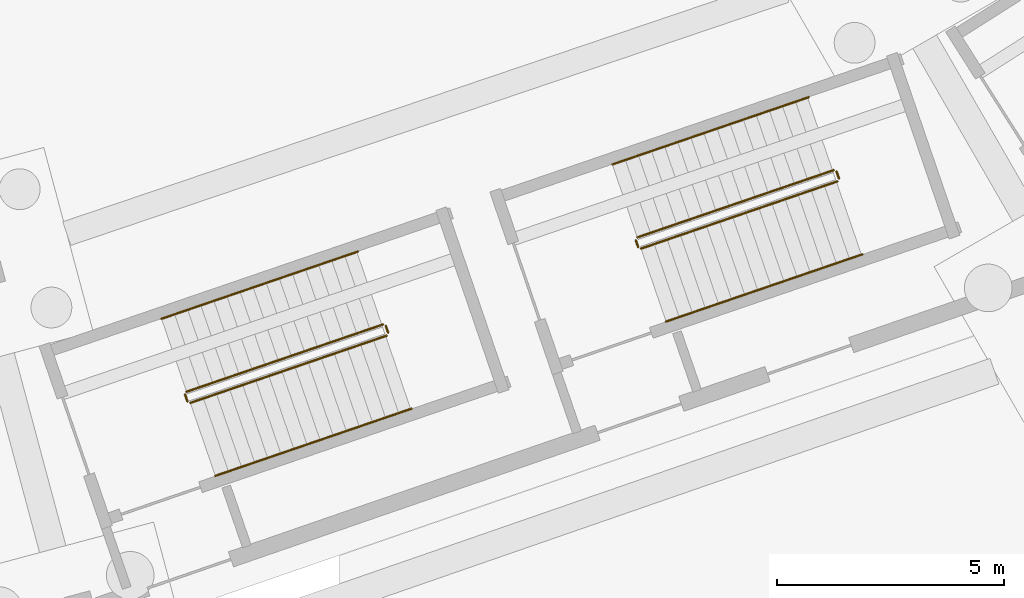
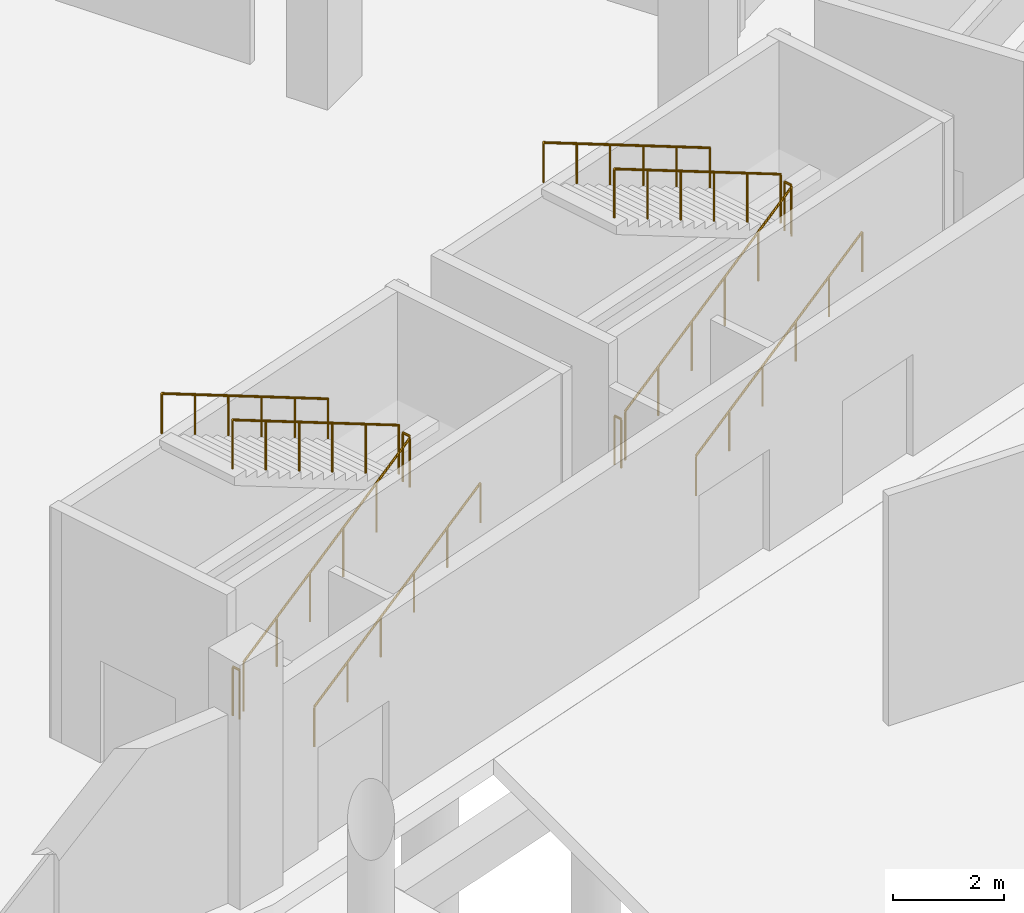
# One storey, part 71 of 103: 12 railings.
"""IFC4 building model written with IfcOpenShell, lengths in metres."""

from ifc_helpers import new_model, si_unit, direction, frame, origin, origin_2d, place, context, subcontext, project, spatial, circle, extrude, material, type_object, element, save


model = new_model("IFC4")

# Units and contexts
model_context = context("Model", 3, precision=1e-05, world=origin(), true_north=direction((0.0, 1.0)))
body_context = subcontext(model_context, "Body", "Model", "MODEL_VIEW")
ifc_project = project(units=[si_unit("LENGTHUNIT", "METRE"), si_unit("AREAUNIT", "SQUARE_METRE"), si_unit("VOLUMEUNIT", "CUBIC_METRE"), si_unit("PLANEANGLEUNIT", "RADIAN"), si_unit("MASSUNIT", "GRAM", prefix="KILO")], contexts=[model_context])

# Site, building, storey
site_placement = place(None, origin())
site = spatial("IfcSite", under=ifc_project, at=site_placement, CompositionType="ELEMENT")
building_placement = place(site_placement, origin())
building = spatial("IfcBuilding", under=site, at=building_placement, Name="Zevraka Park Crest Stadium", CompositionType="ELEMENT")
storey_placement = place(building_placement, origin())
storey = spatial("IfcBuildingStorey", under=building, at=storey_placement, Name="L00", CompositionType="ELEMENT", Elevation=0.0)

# Railings
ifc_material_1 = material(Name="Powder-coated tubular steel stairwell guard", Category="steel")
railing_type_1 = type_object("IfcRailingType", Name="GR03", PredefinedType="GUARDRAIL", material=ifc_material_1)
railing_1_placement = place(storey_placement, frame((138.01611328125, 23.9365234375, 0.168701171875)))
element("IfcRailing", 1, at=railing_1_placement, inside=storey, type_object=railing_type_1, Name="L00 ST20 stair guard 1", PredefinedType="GUARDRAIL", context=body_context, shape_type="SweptSolid", body=[
    extrude(circle(Radius=0.02392578125, at=origin_2d()), frame((0.0, 0.0, 1.076171875), z_axis=(0.827816573081, 0.283471962049, 0.484110904716), x_axis=(-0.323965495677, 0.946068896863, 0.0)), (0.0, 0.0, 1.0), 5.228759765625),
    extrude(circle(Radius=0.02099609375, at=origin_2d()), origin(), (0.0, 0.0, 1.0), 1.052001953125),
    extrude(circle(Radius=0.02099609375, at=origin_2d()), frame((0.86572265625, 0.29638671875, 0.50634765625)), (0.0, 0.0, 1.0), 1.052001953125),
    extrude(circle(Radius=0.02099609375, at=origin_2d()), frame((1.7314453125, 0.5927734375, 1.012451171875)), (0.0, 0.0, 1.0), 1.052001953125),
    extrude(circle(Radius=0.02099609375, at=origin_2d()), frame((2.596923828125, 0.889404296875, 1.518798828125)), (0.0, 0.0, 1.0), 1.052001953125),
    extrude(circle(Radius=0.02099609375, at=origin_2d()), frame((3.462646484375, 1.185791015625, 2.02490234375)), (0.0, 0.0, 1.0), 1.052001953125),
    extrude(circle(Radius=0.02099609375, at=origin_2d()), frame((4.328369140625, 1.482177734375, 2.53125)), (0.0, 0.0, 1.0), 1.052001953125),
])
railing_2_placement = place(storey_placement, frame((142.37548828125, 25.482177734375, 2.699951171875)))
element("IfcRailing", 2, at=railing_2_placement, inside=storey, type_object=railing_type_1, Name="L00 ST20 stair guard 2", PredefinedType="GUARDRAIL", context=body_context, shape_type="SweptSolid", body=[
    extrude(circle(Radius=0.02392578125, at=origin_2d()), frame((0.0, 0.0, 1.076171875), z_axis=(-0.32354385955, 0.946213174156, 0.0), x_axis=(-0.946213174156, -0.32354385955, 0.0)), (0.0, 0.0, 1.0), 0.159912109375),
    extrude(circle(Radius=0.02099609375, at=origin_2d()), origin(), (0.0, 0.0, 1.0), 1.052001953125),
    extrude(circle(Radius=0.02099609375, at=origin_2d()), frame((-0.0517578125, 0.1513671875, 0.0)), (0.0, 0.0, 1.0), 1.052001953125),
])
railing_3_placement = place(storey_placement, frame((142.26025390625, 25.664794921875, 2.86865234375)))
element("IfcRailing", 3, at=railing_3_placement, inside=storey, type_object=railing_type_1, Name="L00 ST20 stair guard 3", PredefinedType="GUARDRAIL", context=body_context, shape_type="SweptSolid", body=[
    extrude(circle(Radius=0.02392578125, at=origin_2d()), frame((0.0, 0.0, 1.076171875), z_axis=(-0.827816573081, -0.283471962049, 0.484110904716), x_axis=(0.323965495677, -0.946068896863, 0.0)), (0.0, 0.0, 1.0), 5.228759765625),
    extrude(circle(Radius=0.02099609375, at=origin_2d()), origin(), (0.0, 0.0, 1.0), 1.052001953125),
    extrude(circle(Radius=0.02099609375, at=origin_2d()), frame((-0.86572265625, -0.29638671875, 0.50634765625)), (0.0, 0.0, 1.0), 1.052001953125),
    extrude(circle(Radius=0.02099609375, at=origin_2d()), frame((-1.7314453125, -0.5927734375, 1.012451171875)), (0.0, 0.0, 1.0), 1.052001953125),
    extrude(circle(Radius=0.02099609375, at=origin_2d()), frame((-2.596923828125, -0.889404296875, 1.518798828125)), (0.0, 0.0, 1.0), 1.052001953125),
    extrude(circle(Radius=0.02099609375, at=origin_2d()), frame((-3.462646484375, -1.185791015625, 2.02490234375)), (0.0, 0.0, 1.0), 1.052001953125),
    extrude(circle(Radius=0.02099609375, at=origin_2d()), frame((-4.328369140625, -1.482177734375, 2.53125)), (0.0, 0.0, 1.0), 1.052001953125),
])
railing_4_placement = place(storey_placement, frame((137.95263671875, 23.9677734375, 0.0)))
element("IfcRailing", 4, at=railing_4_placement, inside=storey, type_object=railing_type_1, Name="L00 ST20 stair guard 4", PredefinedType="GUARDRAIL", context=body_context, shape_type="SweptSolid", body=[
    extrude(circle(Radius=0.02392578125, at=origin_2d()), frame((0.0, 0.0, 1.076171875), z_axis=(-0.32354385955, 0.946213174156, 0.0), x_axis=(-0.946213174156, -0.32354385955, 0.0)), (0.0, 0.0, 1.0), 0.159912109375),
    extrude(circle(Radius=0.02099609375, at=origin_2d()), origin(), (0.0, 0.0, 1.0), 1.052001953125),
    extrude(circle(Radius=0.02099609375, at=origin_2d()), frame((-0.0517578125, 0.1513671875, 0.0)), (0.0, 0.0, 1.0), 1.052001953125),
])
railing_5_placement = place(storey_placement, frame((147.9501953125, 27.337646484375, 0.168701171875)))
element("IfcRailing", 5, at=railing_5_placement, inside=storey, type_object=railing_type_1, Name="L00 ST31 stair guard 1", PredefinedType="GUARDRAIL", context=body_context, shape_type="SweptSolid", body=[
    extrude(circle(Radius=0.02392578125, at=origin_2d()), frame((0.0, 0.0, 1.076171875), z_axis=(0.827816573081, 0.283471962049, 0.484110904716), x_axis=(-0.323965495677, 0.946068896863, 0.0)), (0.0, 0.0, 1.0), 5.228759765625),
    extrude(circle(Radius=0.02099609375, at=origin_2d()), origin(), (0.0, 0.0, 1.0), 1.052001953125),
    extrude(circle(Radius=0.02099609375, at=origin_2d()), frame((0.86572265625, 0.29638671875, 0.50634765625)), (0.0, 0.0, 1.0), 1.052001953125),
    extrude(circle(Radius=0.02099609375, at=origin_2d()), frame((1.7314453125, 0.5927734375, 1.012451171875)), (0.0, 0.0, 1.0), 1.052001953125),
    extrude(circle(Radius=0.02099609375, at=origin_2d()), frame((2.596923828125, 0.889404296875, 1.518798828125)), (0.0, 0.0, 1.0), 1.052001953125),
    extrude(circle(Radius=0.02099609375, at=origin_2d()), frame((3.462646484375, 1.185791015625, 2.02490234375)), (0.0, 0.0, 1.0), 1.052001953125),
    extrude(circle(Radius=0.02099609375, at=origin_2d()), frame((4.328369140625, 1.482177734375, 2.53125)), (0.0, 0.0, 1.0), 1.052001953125),
])
railing_6_placement = place(storey_placement, frame((152.3095703125, 28.88330078125, 2.699951171875)))
element("IfcRailing", 6, at=railing_6_placement, inside=storey, type_object=railing_type_1, Name="L00 ST31 stair guard 2", PredefinedType="GUARDRAIL", context=body_context, shape_type="SweptSolid", body=[
    extrude(circle(Radius=0.02392578125, at=origin_2d()), frame((0.0, 0.0, 1.076171875), z_axis=(-0.32354385955, 0.946213174156, 0.0), x_axis=(-0.946213174156, -0.32354385955, 0.0)), (0.0, 0.0, 1.0), 0.159912109375),
    extrude(circle(Radius=0.02099609375, at=origin_2d()), origin(), (0.0, 0.0, 1.0), 1.052001953125),
    extrude(circle(Radius=0.02099609375, at=origin_2d()), frame((-0.0517578125, 0.1513671875, 0.0)), (0.0, 0.0, 1.0), 1.052001953125),
])
railing_7_placement = place(storey_placement, frame((152.1943359375, 29.065673828125, 2.86865234375)))
element("IfcRailing", 7, at=railing_7_placement, inside=storey, type_object=railing_type_1, Name="L00 ST31 stair guard 3", PredefinedType="GUARDRAIL", context=body_context, shape_type="SweptSolid", body=[
    extrude(circle(Radius=0.02392578125, at=origin_2d()), frame((0.0, 0.0, 1.076171875), z_axis=(-0.827816573081, -0.283471962049, 0.484110904716), x_axis=(0.323965495677, -0.946068896863, 0.0)), (0.0, 0.0, 1.0), 5.228759765625),
    extrude(circle(Radius=0.02099609375, at=origin_2d()), origin(), (0.0, 0.0, 1.0), 1.052001953125),
    extrude(circle(Radius=0.02099609375, at=origin_2d()), frame((-0.86572265625, -0.29638671875, 0.50634765625)), (0.0, 0.0, 1.0), 1.052001953125),
    extrude(circle(Radius=0.02099609375, at=origin_2d()), frame((-1.7314453125, -0.5927734375, 1.012451171875)), (0.0, 0.0, 1.0), 1.052001953125),
    extrude(circle(Radius=0.02099609375, at=origin_2d()), frame((-2.596923828125, -0.889404296875, 1.518798828125)), (0.0, 0.0, 1.0), 1.052001953125),
    extrude(circle(Radius=0.02099609375, at=origin_2d()), frame((-3.462646484375, -1.185791015625, 2.02490234375)), (0.0, 0.0, 1.0), 1.052001953125),
    extrude(circle(Radius=0.02099609375, at=origin_2d()), frame((-4.328369140625, -1.482177734375, 2.53125)), (0.0, 0.0, 1.0), 1.052001953125),
])
railing_8_placement = place(storey_placement, frame((147.88671875, 27.36865234375, 0.0)))
element("IfcRailing", 8, at=railing_8_placement, inside=storey, type_object=railing_type_1, Name="L00 ST31 stair guard 4", PredefinedType="GUARDRAIL", context=body_context, shape_type="SweptSolid", body=[
    extrude(circle(Radius=0.02392578125, at=origin_2d()), frame((0.0, 0.0, 1.076171875), z_axis=(-0.32354385955, 0.946213174156, 0.0), x_axis=(-0.946213174156, -0.32354385955, 0.0)), (0.0, 0.0, 1.0), 0.159912109375),
    extrude(circle(Radius=0.02099609375, at=origin_2d()), origin(), (0.0, 0.0, 1.0), 1.052001953125),
    extrude(circle(Radius=0.02099609375, at=origin_2d()), frame((-0.0517578125, 0.1513671875, 0.0)), (0.0, 0.0, 1.0), 1.052001953125),
])
ifc_material_2 = material(Name="Brushed stainless steel continuous handrail", Category="steel")
railing_type_2 = type_object("IfcRailingType", Name="HR01", PredefinedType="HANDRAIL", material=ifc_material_2)
railing_9_placement = place(storey_placement, frame((138.56689453125, 22.328125, 0.168701171875)))
element("IfcRailing", 9, at=railing_9_placement, inside=storey, type_object=railing_type_2, Name="L00 ST20 stair handrail 1", PredefinedType="HANDRAIL", context=body_context, shape_type="SweptSolid", body=[
    extrude(circle(Radius=0.02392578125, at=origin_2d()), frame((0.0, 0.0, 0.8759765625), z_axis=(0.827816573081, 0.283471962049, 0.484110904716), x_axis=(-0.323965495677, 0.946068896863, 0.0)), (0.0, 0.0, 1.0), 5.228759765625),
    extrude(circle(Radius=0.02099609375, at=origin_2d()), origin(), (0.0, 0.0, 1.0), 0.851806640625),
    extrude(circle(Radius=0.02099609375, at=origin_2d()), frame((0.86572265625, 0.29638671875, 0.50634765625)), (0.0, 0.0, 1.0), 0.851806640625),
    extrude(circle(Radius=0.02099609375, at=origin_2d()), frame((1.7314453125, 0.5927734375, 1.012451171875)), (0.0, 0.0, 1.0), 0.851806640625),
    extrude(circle(Radius=0.02099609375, at=origin_2d()), frame((2.596923828125, 0.889404296875, 1.518798828125)), (0.0, 0.0, 1.0), 0.851806640625),
    extrude(circle(Radius=0.02099609375, at=origin_2d()), frame((3.462646484375, 1.185791015625, 2.02490234375)), (0.0, 0.0, 1.0), 0.851806640625),
    extrude(circle(Radius=0.02099609375, at=origin_2d()), frame((4.328369140625, 1.482177734375, 2.53125)), (0.0, 0.0, 1.0), 0.851806640625),
])
railing_10_placement = place(storey_placement, frame((141.70947265625, 27.27294921875, 2.86865234375)))
element("IfcRailing", 10, at=railing_10_placement, inside=storey, type_object=railing_type_2, Name="L00 ST20 stair handrail 2", PredefinedType="HANDRAIL", context=body_context, shape_type="SweptSolid", body=[
    extrude(circle(Radius=0.02392578125, at=origin_2d()), frame((0.0, 0.0, 0.8759765625), z_axis=(-0.827816573081, -0.283471962049, 0.484110904716), x_axis=(0.323965495677, -0.946068896863, 0.0)), (0.0, 0.0, 1.0), 5.228759765625),
    extrude(circle(Radius=0.02099609375, at=origin_2d()), origin(), (0.0, 0.0, 1.0), 0.851806640625),
    extrude(circle(Radius=0.02099609375, at=origin_2d()), frame((-0.86572265625, -0.29638671875, 0.50634765625)), (0.0, 0.0, 1.0), 0.851806640625),
    extrude(circle(Radius=0.02099609375, at=origin_2d()), frame((-1.7314453125, -0.5927734375, 1.012451171875)), (0.0, 0.0, 1.0), 0.851806640625),
    extrude(circle(Radius=0.02099609375, at=origin_2d()), frame((-2.596923828125, -0.889404296875, 1.518798828125)), (0.0, 0.0, 1.0), 0.851806640625),
    extrude(circle(Radius=0.02099609375, at=origin_2d()), frame((-3.462646484375, -1.185791015625, 2.02490234375)), (0.0, 0.0, 1.0), 0.851806640625),
    extrude(circle(Radius=0.02099609375, at=origin_2d()), frame((-4.328369140625, -1.482177734375, 2.53125)), (0.0, 0.0, 1.0), 0.851806640625),
])
railing_11_placement = place(storey_placement, frame((148.5009765625, 25.729248046875, 0.168701171875)))
element("IfcRailing", 11, at=railing_11_placement, inside=storey, type_object=railing_type_2, Name="L00 ST31 stair handrail 1", PredefinedType="HANDRAIL", context=body_context, shape_type="SweptSolid", body=[
    extrude(circle(Radius=0.02392578125, at=origin_2d()), frame((0.0, 0.0, 0.8759765625), z_axis=(0.827801877085, 0.283482919437, 0.484129617645), x_axis=(-0.323981851812, 0.946063295819, 0.0)), (0.0, 0.0, 1.0), 5.228515625),
    extrude(circle(Radius=0.02099609375, at=origin_2d()), origin(), (0.0, 0.0, 1.0), 0.851806640625),
    extrude(circle(Radius=0.02099609375, at=origin_2d()), frame((0.86572265625, 0.29638671875, 0.50634765625)), (0.0, 0.0, 1.0), 0.851806640625),
    extrude(circle(Radius=0.02099609375, at=origin_2d()), frame((1.731201171875, 0.5927734375, 1.012451171875)), (0.0, 0.0, 1.0), 0.851806640625),
    extrude(circle(Radius=0.02099609375, at=origin_2d()), frame((2.596923828125, 0.889404296875, 1.518798828125)), (0.0, 0.0, 1.0), 0.851806640625),
    extrude(circle(Radius=0.02099609375, at=origin_2d()), frame((3.46240234375, 1.185791015625, 2.02490234375)), (0.0, 0.0, 1.0), 0.851806640625),
    extrude(circle(Radius=0.02099609375, at=origin_2d()), frame((4.328125, 1.482177734375, 2.53125)), (0.0, 0.0, 1.0), 0.851806640625),
])
railing_12_placement = place(storey_placement, frame((151.6435546875, 30.674072265625, 2.86865234375)))
element("IfcRailing", 12, at=railing_12_placement, inside=storey, type_object=railing_type_2, Name="L00 ST31 stair handrail 2", PredefinedType="HANDRAIL", context=body_context, shape_type="SweptSolid", body=[
    extrude(circle(Radius=0.02392578125, at=origin_2d()), frame((0.0, 0.0, 0.8759765625), z_axis=(-0.827816573081, -0.283471962049, 0.484110904716), x_axis=(0.323965495677, -0.946068896863, 0.0)), (0.0, 0.0, 1.0), 5.228759765625),
    extrude(circle(Radius=0.02099609375, at=origin_2d()), origin(), (0.0, 0.0, 1.0), 0.851806640625),
    extrude(circle(Radius=0.02099609375, at=origin_2d()), frame((-0.86572265625, -0.29638671875, 0.50634765625)), (0.0, 0.0, 1.0), 0.851806640625),
    extrude(circle(Radius=0.02099609375, at=origin_2d()), frame((-1.7314453125, -0.5927734375, 1.012451171875)), (0.0, 0.0, 1.0), 0.851806640625),
    extrude(circle(Radius=0.02099609375, at=origin_2d()), frame((-2.596923828125, -0.889404296875, 1.518798828125)), (0.0, 0.0, 1.0), 0.851806640625),
    extrude(circle(Radius=0.02099609375, at=origin_2d()), frame((-3.462646484375, -1.185791015625, 2.02490234375)), (0.0, 0.0, 1.0), 0.851806640625),
    extrude(circle(Radius=0.02099609375, at=origin_2d()), frame((-4.328369140625, -1.482177734375, 2.53125)), (0.0, 0.0, 1.0), 0.851806640625),
])

save(model, "model.ifc")
